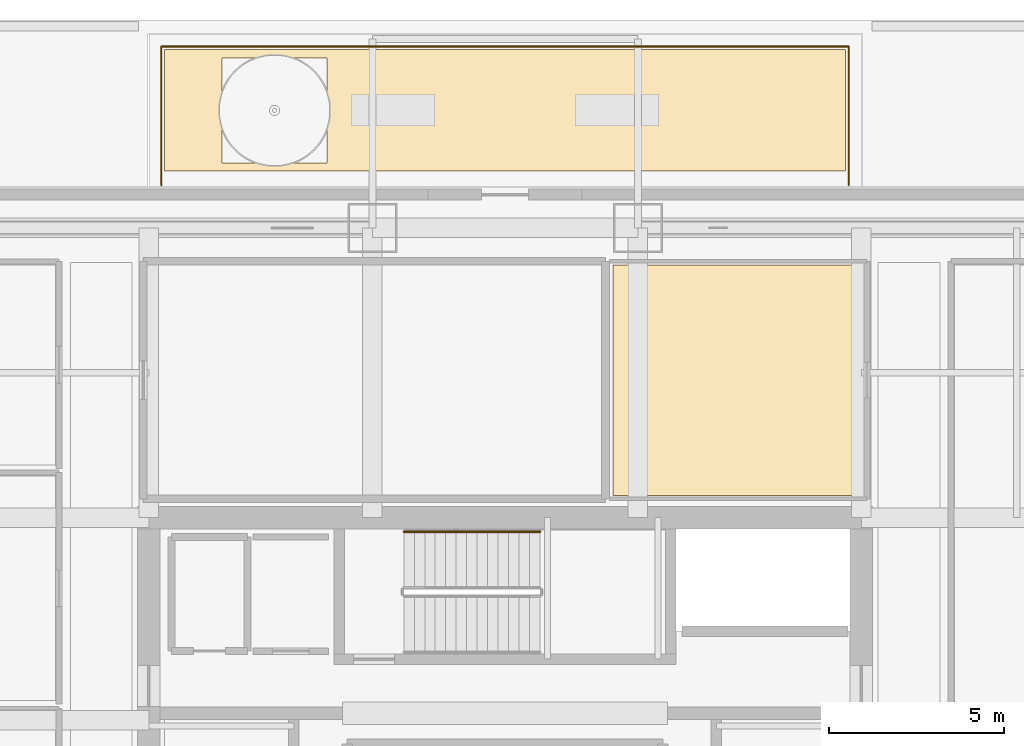
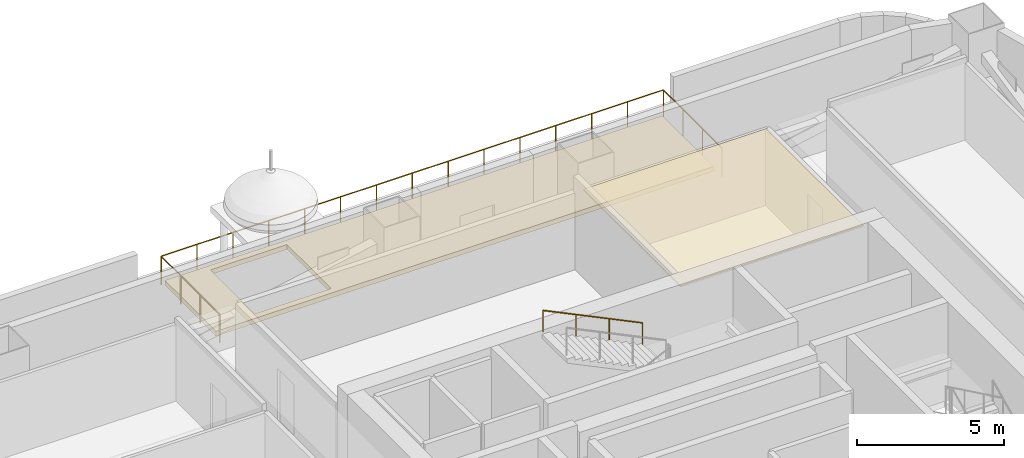
# One storey, part 28 of 29: 2 coverings, 2 railings.
"""IFC4 building model written with IfcOpenShell, lengths in metres."""

from ifc_helpers import new_model, si_unit, direction, frame, origin, origin_2d, place, context, subcontext, project, spatial, polyline, circle, outline, extrude, material, layer, layer_set, type_object, element, save


model = new_model("IFC4")

# Units and contexts
model_context = context("Model", 3, precision=1e-05, world=origin(), true_north=direction((0.0, 1.0)))
body_context = subcontext(model_context, "Body", "Model", "MODEL_VIEW")
ifc_project = project(units=[si_unit("LENGTHUNIT", "METRE"), si_unit("AREAUNIT", "SQUARE_METRE"), si_unit("VOLUMEUNIT", "CUBIC_METRE"), si_unit("PLANEANGLEUNIT", "RADIAN"), si_unit("MASSUNIT", "GRAM", prefix="KILO")], contexts=[model_context])

# Site, building, storey
site_placement = place(None, origin())
site = spatial("IfcSite", under=ifc_project, at=site_placement, CompositionType="ELEMENT")
building_placement = place(site_placement, origin())
building = spatial("IfcBuilding", under=site, at=building_placement, Name="Punatoya Terracotta Tower", CompositionType="ELEMENT")
storey_placement = place(building_placement, frame((0.0, 0.0, 172.199951171875)))
storey = spatial("IfcBuildingStorey", under=building, at=storey_placement, Name="L40", CompositionType="ELEMENT", Elevation=172.199951171875)

# Coverings
ifc_material_1 = material(Name="Acoustic Mineral Fibre Ceiling")
ifc_layer_1 = layer(ifc_material_1, 0.06005859375)
ifc_layer_set_1 = layer_set([ifc_layer_1], Name="Acoustic Mineral Fibre Ceiling")
covering_type_1 = type_object("IfcCoveringType", Name="COV-CEIL-60", PredefinedType="CEILING", material=ifc_layer_set_1)
covering_1_placement = place(storey_placement, frame((0.0, 0.0, 3.16015625)))
element("IfcCovering", 1, at=covering_1_placement, inside=storey, type_object=covering_type_1, Name="L40 Editorial Conference Room Acoustic Ceiling", PredefinedType="CEILING", context=body_context, shape_type="SweptSolid", body=[
    extrude(outline(polyline([(10.260009765625, 9.840087890625), (10.260009765625, 16.43994140625), (3.093994140625, 16.43994140625), (3.093994140625, 9.840087890625), (10.260009765625, 9.840087890625)])), origin(), (0.0, 0.0, 1.0), 0.059814453125),
])
ifc_material_2 = material(Name="Green Roof Planting Soil Medium")
ifc_layer_2 = layer(ifc_material_2, 0.35009765625)
ifc_layer_set_2 = layer_set([ifc_layer_2], Name="Green Roof Planting Soil Medium")
covering_type_2 = type_object("IfcCoveringType", Name="COV-TER-350", PredefinedType="ROOFING", material=ifc_layer_set_2)
covering_2_placement = place(storey_placement, origin())
element("IfcCovering", 2, at=covering_2_placement, inside=storey, type_object=covering_type_2, Name="L40 L40 Spiralling Sky Terrace Planted Soil Bed", PredefinedType="ROOFING", context=body_context, shape_type="SweptSolid", body=[
    extrude(outline(polyline([(9.75, 22.60009765625), (9.75, 19.1201171875), (-9.75, 19.1201171875), (-9.75, 22.60009765625), (9.75, 22.60009765625)]), holes=[polyline([(-5.10009765625, 22.360107421875), (-8.10009765625, 22.360107421875), (-8.10009765625, 19.360107421875), (-5.10009765625, 19.360107421875), (-5.10009765625, 22.360107421875)])]), origin(), (0.0, 0.0, 1.0), 0.199951171875),
])

# Railings
ifc_material_3 = material(Name="Steel S355", Category="steel")
railing_type_1 = type_object("IfcRailingType", Name="RLG-BAL-1200", PredefinedType="BALUSTRADE", material=ifc_material_3)
railing_1_placement = place(storey_placement, frame((-9.840087890625, 18.719970703125, 0.0)))
element("IfcRailing", 3, at=railing_1_placement, inside=storey, type_object=railing_type_1, Name="L40 L40 Spiralling Sky Terrace Guardrail", PredefinedType="BALUSTRADE", context=body_context, shape_type="SweptSolid", body=[
    extrude(circle(Radius=0.02392578125, at=origin_2d()), frame((0.0, 0.0, 1.17578125), z_axis=(0.0, 1.0, 0.0), x_axis=(-1.0, 0.0, 0.0)), (0.0, 0.0, 1.0), 3.969970703125),
    extrude(circle(Radius=0.02392578125, at=origin_2d()), frame((0.0, 3.969970703125, 1.17578125), z_axis=(1.0, 0.0, 0.0), x_axis=(0.0, 1.0, 0.0)), (0.0, 0.0, 1.0), 19.68017578125),
    extrude(circle(Radius=0.02392578125, at=origin_2d()), frame((19.68017578125, 3.969970703125, 1.17578125), z_axis=(0.0, -1.0, 0.0), x_axis=(1.0, 0.0, 0.0)), (0.0, 0.0, 1.0), 3.969970703125),
    extrude(circle(Radius=0.02099609375, at=origin_2d()), origin(), (0.0, 0.0, 1.0), 1.15185546875),
    extrude(circle(Radius=0.02099609375, at=origin_2d()), frame((0.0, 1.3232421875, 0.0)), (0.0, 0.0, 1.0), 1.15185546875),
    extrude(circle(Radius=0.02099609375, at=origin_2d()), frame((0.0, 2.646728515625, 0.0)), (0.0, 0.0, 1.0), 1.15185546875),
    extrude(circle(Radius=0.02099609375, at=origin_2d()), frame((0.0, 3.969970703125, 0.0)), (0.0, 0.0, 1.0), 1.15185546875),
    extrude(circle(Radius=0.02099609375, at=origin_2d()), frame((1.40576171875, 3.969970703125, 0.0)), (0.0, 0.0, 1.0), 1.15185546875),
    extrude(circle(Radius=0.02099609375, at=origin_2d()), frame((2.8115234375, 3.969970703125, 0.0)), (0.0, 0.0, 1.0), 1.15185546875),
    extrude(circle(Radius=0.02099609375, at=origin_2d()), frame((4.21728515625, 3.969970703125, 0.0)), (0.0, 0.0, 1.0), 1.15185546875),
    extrude(circle(Radius=0.02099609375, at=origin_2d()), frame((5.622802734375, 3.969970703125, 0.0)), (0.0, 0.0, 1.0), 1.15185546875),
    extrude(circle(Radius=0.02099609375, at=origin_2d()), frame((7.028564453125, 3.969970703125, 0.0)), (0.0, 0.0, 1.0), 1.15185546875),
    extrude(circle(Radius=0.02099609375, at=origin_2d()), frame((8.434326171875, 3.969970703125, 0.0)), (0.0, 0.0, 1.0), 1.15185546875),
    extrude(circle(Radius=0.02099609375, at=origin_2d()), frame((9.840087890625, 3.969970703125, 0.0)), (0.0, 0.0, 1.0), 1.15185546875),
    extrude(circle(Radius=0.02099609375, at=origin_2d()), frame((11.245849609375, 3.969970703125, 0.0)), (0.0, 0.0, 1.0), 1.15185546875),
    extrude(circle(Radius=0.02099609375, at=origin_2d()), frame((12.651611328125, 3.969970703125, 0.0)), (0.0, 0.0, 1.0), 1.15185546875),
    extrude(circle(Radius=0.02099609375, at=origin_2d()), frame((14.057373046875, 3.969970703125, 0.0)), (0.0, 0.0, 1.0), 1.15185546875),
    extrude(circle(Radius=0.02099609375, at=origin_2d()), frame((15.462890625, 3.969970703125, 0.0)), (0.0, 0.0, 1.0), 1.15185546875),
    extrude(circle(Radius=0.02099609375, at=origin_2d()), frame((16.86865234375, 3.969970703125, 0.0)), (0.0, 0.0, 1.0), 1.15185546875),
    extrude(circle(Radius=0.02099609375, at=origin_2d()), frame((18.2744140625, 3.969970703125, 0.0)), (0.0, 0.0, 1.0), 1.15185546875),
    extrude(circle(Radius=0.02099609375, at=origin_2d()), frame((19.68017578125, 3.969970703125, 0.0)), (0.0, 0.0, 1.0), 1.15185546875),
    extrude(circle(Radius=0.02099609375, at=origin_2d()), frame((19.68017578125, 2.646728515625, 0.0)), (0.0, 0.0, 1.0), 1.15185546875),
    extrude(circle(Radius=0.02099609375, at=origin_2d()), frame((19.68017578125, 1.3232421875, 0.0)), (0.0, 0.0, 1.0), 1.15185546875),
    extrude(circle(Radius=0.02099609375, at=origin_2d()), frame((19.68017578125, 0.0, 0.0)), (0.0, 0.0, 1.0), 1.15185546875),
])
railing_type_2 = type_object("IfcRailingType", Name="RLG-HND-900", PredefinedType="HANDRAIL", material=ifc_material_3)
railing_2_placement = place(storey_placement, frame((1.0, 8.800048828125, 2.169677734375)))
element("IfcRailing", 4, at=railing_2_placement, inside=storey, type_object=railing_type_2, Name="L40 ST-3 stair handrail 2", PredefinedType="HANDRAIL", context=body_context, shape_type="SweptSolid", body=[
    extrude(circle(Radius=0.02392578125, at=origin_2d()), frame((0.0, 0.0, 0.8759765625), z_axis=(-0.900763166376, 0.0, 0.434310623978), x_axis=(0.0, -1.0, 0.0)), (0.0, 0.0, 1.0), 4.32958984375),
    extrude(circle(Radius=0.02099609375, at=origin_2d()), origin(), (0.0, 0.0, 1.0), 0.851806640625),
    extrude(circle(Radius=0.02099609375, at=origin_2d()), frame((-1.300048828125, 0.0, 0.626708984375)), (0.0, 0.0, 1.0), 0.851806640625),
    extrude(circle(Radius=0.02099609375, at=origin_2d()), frame((-2.599853515625, 0.0, 1.253662109375)), (0.0, 0.0, 1.0), 0.851806640625),
    extrude(circle(Radius=0.02099609375, at=origin_2d()), frame((-3.89990234375, 0.0, 1.88037109375)), (0.0, 0.0, 1.0), 0.851806640625),
])

save(model, "model.ifc")
